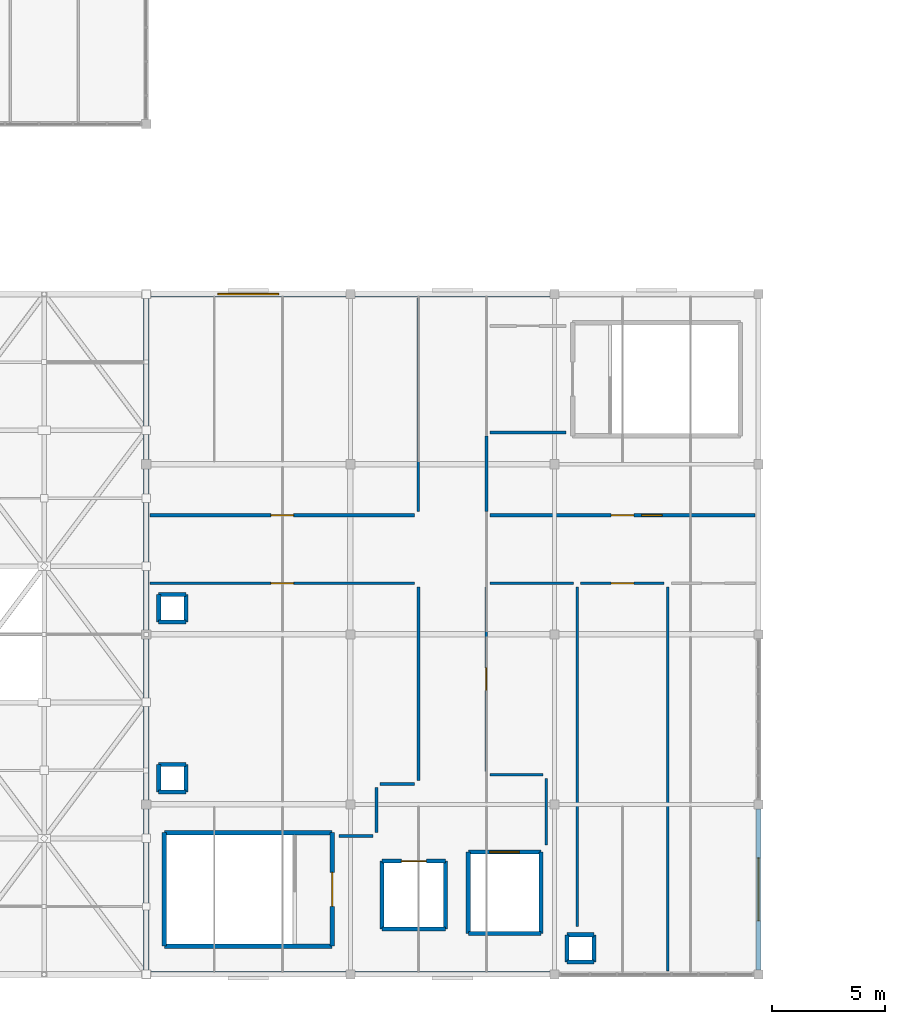
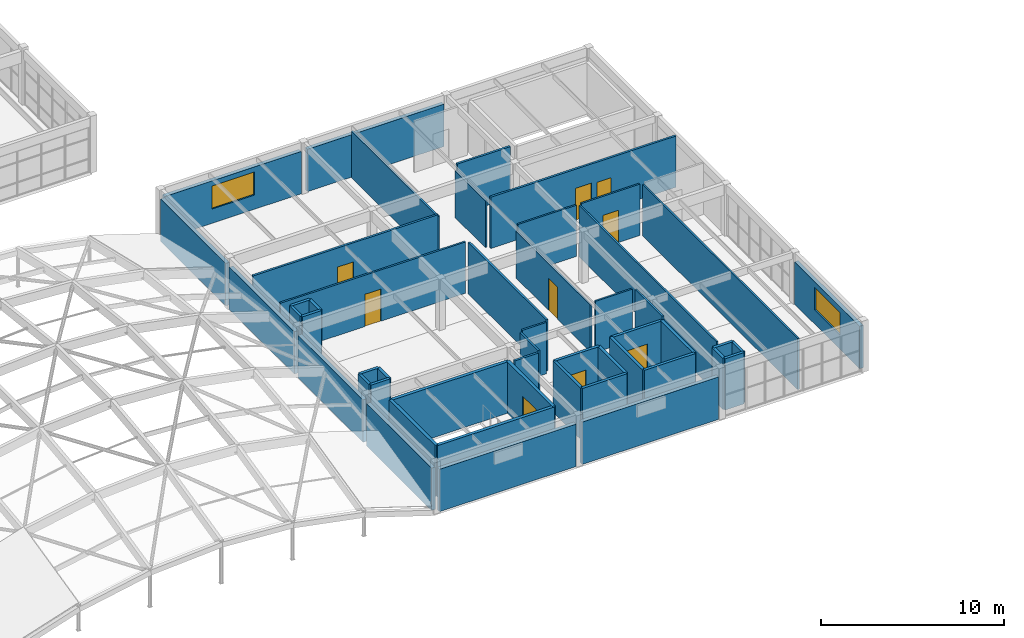
# One storey, part 73 of 81: 50 walls, 8 doors, 3 windows, 11 openings.
"""IFC4 building model written with IfcOpenShell, lengths in metres."""

import ifcopenshell
import ifcopenshell.guid

model = None  # the IFC model being written
_history = None  # IfcOwnerHistory: only IFC2X3 demands one
_inside = {}  # id of a spatial element -> (the spatial element, [elements in it])
_under = {}  # id of a project, library or spatial element -> (it, [spatial elements below it])
_declared = {}  # id of a project -> (the project, [libraries it declares])
_typed = {}  # id of a type object -> (the type object, [elements of that type])
_made_of = {}  # id of a material, layer set ... -> (it, [elements and type objects made of it])


def new_model(schema):
    """Start an empty IFC model of exactly this schema.

    Asked for "IFC4X3", IfcOpenShell would pick the latest addendum, in which some entities
    have other attributes; the version numbers below select the first issue.
    IFC2X3 requires an IfcOwnerHistory on every rooted entity: one is made here for all.
    """
    global model, _history
    if schema == "IFC4X3":
        model = ifcopenshell.file(schema_version=(4, 3, 0, 0))
    else:
        model = ifcopenshell.file(schema=schema)
    _inside.clear()
    _under.clear()
    _declared.clear()
    _typed.clear()
    _made_of.clear()
    _history = None
    if model.schema == "IFC2X3":
        org = make("IfcOrganization", Name="unknown")
        user = make(
            "IfcPersonAndOrganization",
            ThePerson=make("IfcPerson", FamilyName="unknown"),
            TheOrganization=org,
        )
        app = make(
            "IfcApplication",
            ApplicationDeveloper=org,
            Version="unknown",
            ApplicationFullName="unknown",
            ApplicationIdentifier="unknown",
        )
        _history = make(
            "IfcOwnerHistory",
            OwningUser=user,
            OwningApplication=app,
            ChangeAction="ADDED",
            CreationDate=0,
        )
    return model


def make(cls, **values):
    """One entity of the class cls with the attributes given. An attribute that is None is left unset."""
    return model.create_entity(
        cls, **{name: value for name, value in values.items() if value is not None}
    )


def rooted(cls, **values):
    """An entity with a GlobalId (a new one), such as an element, a storey or a relation."""
    return make(cls, GlobalId=ifcopenshell.guid.new(), OwnerHistory=_history, **values)


def si_unit(unit_type, name, prefix=None):
    """IfcSIUnit, for example si_unit("LENGTHUNIT", "METRE", prefix="MILLI")."""
    return make("IfcSIUnit", UnitType=unit_type, Prefix=prefix, Name=name)


def assignment(units):
    """IfcUnitAssignment: the units of a project."""
    return None if units is None else make("IfcUnitAssignment", Units=units)


def point(xyz):
    """IfcCartesianPoint."""
    return None if xyz is None else make("IfcCartesianPoint", Coordinates=xyz)


def direction(xyz):
    """IfcDirection."""
    return None if xyz is None else make("IfcDirection", DirectionRatios=xyz)


def frame(location, z_axis=None, x_axis=None):
    """IfcAxis2Placement3D, a coordinate frame: its origin and axes. An axis left out is left unset."""
    return make(
        "IfcAxis2Placement3D",
        Location=point(location),
        Axis=direction(z_axis),
        RefDirection=direction(x_axis),
    )


def frame_2d(location, x_axis=None):
    """IfcAxis2Placement2D, a coordinate frame in the plane: its origin and x axis."""
    return make(
        "IfcAxis2Placement2D", Location=point(location), RefDirection=direction(x_axis)
    )


def origin():
    """The frame at (0, 0, 0) with its axes left unset."""
    return frame((0.0, 0.0, 0.0))


def place(relative_to, where):
    """IfcLocalPlacement: puts the frame where relative to a parent placement (None: the world)."""
    return make(
        "IfcLocalPlacement", PlacementRelTo=relative_to, RelativePlacement=where
    )


def context(
    kind, dimensions, precision=None, world=None, true_north=None, identifier=None
):
    """IfcGeometricRepresentationContext, for example the 3D "Model" context."""
    return make(
        "IfcGeometricRepresentationContext",
        ContextIdentifier=identifier,
        ContextType=kind,
        CoordinateSpaceDimension=dimensions,
        Precision=precision,
        WorldCoordinateSystem=world,
        TrueNorth=true_north,
    )


def subcontext(parent, identifier, kind, view, scale=None):
    """IfcGeometricRepresentationSubContext, for example "Body" below "Model"."""
    return make(
        "IfcGeometricRepresentationSubContext",
        ContextIdentifier=identifier,
        ContextType=kind,
        ParentContext=parent,
        TargetScale=scale,
        TargetView=view,
    )


def project(units=None, contexts=None):
    """IfcProject with its units and contexts."""
    return rooted(
        "IfcProject",
        Name="project",
        RepresentationContexts=contexts,
        UnitsInContext=assignment(units),
    )


def spatial(cls, under=None, at=None, **own):
    """A site, building, storey or space (cls), placed at a placement, below another one or the project."""
    s = rooted(cls, ObjectPlacement=at, **own)
    if under is not None:
        _under.setdefault(under.id(), (under, []))[1].append(s)
    return s


def profile(cls, at=None, kind="AREA", **sizes):
    """A parametric profile (cls). Its sizes go by their IFC names, for example OverallWidth=200.0."""
    return make(cls, ProfileType=kind, Position=at, **sizes)


def rectangle(**sizes):
    """IfcRectangleProfileDef."""
    return profile("IfcRectangleProfileDef", **sizes)


def extrude(swept, where, along, depth):
    """IfcExtrudedAreaSolid: the profile swept, set in the frame where, extruded along a direction by depth."""
    return make(
        "IfcExtrudedAreaSolid",
        SweptArea=swept,
        Position=where,
        ExtrudedDirection=direction(along),
        Depth=depth,
    )


def shape(context_of_items, identifier, shape_type, items):
    """IfcShapeRepresentation: the items that make up one representation, for example the "Body"."""
    return make(
        "IfcShapeRepresentation",
        ContextOfItems=context_of_items,
        RepresentationIdentifier=identifier,
        RepresentationType=shape_type,
        Items=items,
    )


def material(Name=None, Category=None):
    """IfcMaterial."""
    return make("IfcMaterial", Name=Name, Category=Category)


def layer(
    of_material, thickness, ventilated=None, Name=None, Category=None, Priority=None
):
    """IfcMaterialLayer: one layer of a wall or slab, of a material (None: an air gap)."""
    return make(
        "IfcMaterialLayer",
        Material=of_material,
        LayerThickness=thickness,
        IsVentilated=ventilated,
        Name=Name,
        Category=Category,
        Priority=Priority,
    )


def layer_set(layers, Name=None):
    """IfcMaterialLayerSet."""
    return make("IfcMaterialLayerSet", MaterialLayers=layers, LayerSetName=Name)


def made_of(thing, what):
    """Note that an element or type object is made of a material, layer set ...; save() writes the relation."""
    if what is not None:
        _made_of.setdefault(what.id(), (what, []))[1].append(thing)
    return thing


def type_object(cls, material=None, **own):
    """A type object (cls), such as IfcWallType, which elements share."""
    return made_of(rooted(cls, **own), material)


def element(
    cls,
    number,
    at=None,
    inside=None,
    cuts=None,
    type_object=None,
    material=None,
    context=None,
    identifier="Body",
    shape_type=None,
    held_by="IfcProductDefinitionShape",
    body=None,
    shapes=None,
    **own,
):
    """One element of the class cls, such as IfcWall. Its Tag is "e" and its number.

    at: its placement. inside: the storey or other place that contains it. cuts: it is an
    opening in that element (IfcRelVoidsElement). A single representation is given by context,
    identifier, shape_type and body (its items); several are given by shapes. held_by: the class
    of the entity that holds the representations. save() writes the other relations.
    """
    e = rooted(cls, Tag="e%d" % number, ObjectPlacement=at, **own)
    if body is not None:
        shapes = [shape(context, identifier, shape_type, body)]
    if shapes is not None:
        e.Representation = make(held_by, Representations=shapes)
    if inside is not None:
        _inside.setdefault(inside.id(), (inside, []))[1].append(e)
    if cuts is not None:
        rooted(
            "IfcRelVoidsElement", RelatingBuildingElement=cuts, RelatedOpeningElement=e
        )
    if type_object is not None:
        _typed.setdefault(type_object.id(), (type_object, []))[1].append(e)
    return made_of(e, material)


def fill(opening, filler):
    """IfcRelFillsElement: the door or window that sits in an opening."""
    return rooted(
        "IfcRelFillsElement",
        RelatingOpeningElement=opening,
        RelatedBuildingElement=filler,
    )


def aggregate(whole, parts):
    """IfcRelAggregates: a whole, such as a stair, and the parts it consists of."""
    return rooted("IfcRelAggregates", RelatingObject=whole, RelatedObjects=parts)


def save(model, path):
    """Write the relations noted so far, then the file.

    IfcRelAggregates (storeys below a building ...), IfcRelContainedInSpatialStructure (elements
    in a storey), IfcRelDefinesByType, IfcRelAssociatesMaterial and IfcRelDeclares: one each for
    every whole, place, type object, material and project.
    """
    for whole, parts in _under.values():
        aggregate(whole, parts)
    for where, things in _inside.values():
        rooted(
            "IfcRelContainedInSpatialStructure",
            RelatedElements=things,
            RelatingStructure=where,
        )
    for kind, things in _typed.values():
        rooted("IfcRelDefinesByType", RelatedObjects=things, RelatingType=kind)
    for what, things in _made_of.values():
        rooted("IfcRelAssociatesMaterial", RelatedObjects=things, RelatingMaterial=what)
    for by, libraries in _declared.values():
        rooted("IfcRelDeclares", RelatingContext=by, RelatedDefinitions=libraries)
    model.write(path)


model = new_model("IFC4")

# Units and contexts
model_context = context("Model", 3, precision=1e-05, world=origin(), true_north=direction((0.0, 1.0)))
body_context = subcontext(model_context, "Body", "Model", "MODEL_VIEW")
ifc_project = project(units=[si_unit("LENGTHUNIT", "METRE"), si_unit("AREAUNIT", "SQUARE_METRE"), si_unit("VOLUMEUNIT", "CUBIC_METRE"), si_unit("PLANEANGLEUNIT", "RADIAN"), si_unit("MASSUNIT", "GRAM", prefix="KILO")], contexts=[model_context])

# Site, building, storey
site_placement = place(None, origin())
site = spatial("IfcSite", under=ifc_project, at=site_placement, CompositionType="ELEMENT")
building_placement = place(site_placement, origin())
building = spatial("IfcBuilding", under=site, at=building_placement, Name="Marnridge Secondary College", CompositionType="ELEMENT")
storey_placement = place(building_placement, frame((0.0, 0.0, 8.5)))
storey = spatial("IfcBuildingStorey", under=building, at=storey_placement, Name="L02", CompositionType="ELEMENT", Elevation=8.5)

# Wall
ifc_material_1 = material(Name="Concrete C40/50 (AS 3600 N40, 40 MPa)", Category="concrete")
ifc_layer_1 = layer(ifc_material_1, 0.199951171875)
ifc_layer_set_1 = layer_set([ifc_layer_1], Name="WT-CORE-RC200")
wall_type_1 = type_object("IfcWallType", Name="WT-CORE-RC200", PredefinedType="SHEAR", material=ifc_layer_set_1)
wall_1_placement = place(storey_placement, frame((90.800048828125, 1.25, 0.0), z_axis=(0.0, 0.0, 1.0), x_axis=(1.0, 0.0, 0.0)))
element("IfcWall", 1, at=wall_1_placement, inside=storey, type_object=wall_type_1, Name="Stair core shear wall WC-L02-0377", PredefinedType="SHEAR", context=body_context, shape_type="SweptSolid", body=[
    extrude(rectangle(XDim=7.39990234375, YDim=0.199951171875, at=frame_2d((3.699951171875, 0.0))), origin(), (0.0, 0.0, 1.0), 3.419921875),
])

# Wall, opening, door
wall_2_placement = place(storey_placement, frame((98.199951171875, 1.25, 0.0), z_axis=(0.0, 0.0, 1.0), x_axis=(0.0, 1.0, 0.0)))
wall_2 = element("IfcWall", 2, at=wall_2_placement, inside=storey, type_object=wall_type_1, Name="Stair core shear wall WC-L02-0378", PredefinedType="SHEAR", context=body_context, shape_type="SweptSolid", body=[
    extrude(rectangle(XDim=5.0, YDim=0.199951171875, at=frame_2d((2.5, 0.0))), origin(), (0.0, 0.0, 1.0), 3.419921875),
])
opening_1_placement = place(wall_2_placement, frame((1.75, 0.0, 0.0)))
opening_1 = element("IfcOpeningElement", 3, at=opening_1_placement, cuts=wall_2, Name="Opening DC-L02-033", PredefinedType="OPENING", context=body_context, shape_type="SweptSolid", body=[
    extrude(rectangle(XDim=1.5, YDim=2.14990234375, at=frame_2d((0.75, 1.074951171875))), frame((0.0, 0.10986328125, 0.0), z_axis=(0.0, -1.0, 0.0), x_axis=(1.0, 0.0, 0.0)), (0.0, 0.0, 1.0), 0.219970703125),
])
ifc_material_2 = material(Name="Fire-rated solid-core timber doorset", Category="wood")
door_type_1 = type_object("IfcDoorType", Name="DT-CORE-FD150", OperationType="DOUBLE_DOOR_SINGLE_SWING", PredefinedType="DOOR", material=ifc_material_2)
door_1_placement = place(opening_1_placement, origin())
door_1 = element("IfcDoor", 4, at=door_1_placement, inside=storey, type_object=door_type_1, Name="Fire stair door DC-L02-033", OperationType="DOUBLE_DOOR_SINGLE_SWING", OverallHeight=2.14990234375, OverallWidth=1.5, PredefinedType="DOOR", context=body_context, shape_type="SweptSolid", body=[
    extrude(rectangle(XDim=1.5, YDim=2.14990234375, at=frame_2d((0.75, 1.074951171875))), frame((0.0, 0.02490234375, 0.0), z_axis=(0.0, -1.0, 0.0), x_axis=(1.0, 0.0, 0.0)), (0.0, 0.0, 1.0), 0.050048828125),
])
fill(opening_1, door_1)

# Walls
wall_3_placement = place(storey_placement, frame((98.199951171875, 6.25, 0.0), z_axis=(0.0, 0.0, 1.0), x_axis=(-1.0, 0.0, 0.0)))
element("IfcWall", 5, at=wall_3_placement, inside=storey, type_object=wall_type_1, Name="Stair core shear wall WC-L02-0379", PredefinedType="SHEAR", context=body_context, shape_type="SweptSolid", body=[
    extrude(rectangle(XDim=7.39990234375, YDim=0.199951171875, at=frame_2d((3.699951171875, 0.0))), origin(), (0.0, 0.0, 1.0), 3.419921875),
])
wall_4_placement = place(storey_placement, frame((90.800048828125, 6.25, 0.0), z_axis=(0.0, 0.0, 1.0), x_axis=(0.0, -1.0, 0.0)))
element("IfcWall", 6, at=wall_4_placement, inside=storey, type_object=wall_type_1, Name="Stair core shear wall WC-L02-0380", PredefinedType="SHEAR", context=body_context, shape_type="SweptSolid", body=[
    extrude(rectangle(XDim=5.0, YDim=0.199951171875, at=frame_2d((2.5, 0.0))), origin(), (0.0, 0.0, 1.0), 3.419921875),
])

# Wall, opening, window
ifc_material_3 = material(Name="Cross-laminated timber CL5", Category="wood")
ifc_layer_2 = layer(ifc_material_3, 0.239990234375)
ifc_layer_set_2 = layer_set([ifc_layer_2], Name="WT-EXT-CLT240")
wall_type_2 = type_object("IfcWallType", Name="WT-EXT-CLT240", PredefinedType="SOLIDWALL", material=ifc_layer_set_2)
wall_5_placement = place(storey_placement, frame((90.196044921875, 30.0, 0.0), z_axis=(0.0, 0.0, 1.0), x_axis=(1.0, 0.0, 0.0)))
wall_5 = element("IfcWall", 7, at=wall_5_placement, inside=storey, type_object=wall_type_2, Name="Exterior wall WE-L02-0139", PredefinedType="SOLIDWALL", context=body_context, shape_type="SweptSolid", body=[
    extrude(rectangle(XDim=8.60791015625, YDim=0.239990234375, at=frame_2d((4.303955078125, 0.0))), origin(), (0.0, 0.0, 1.0), 2.826904296875),
])
opening_2_placement = place(wall_5_placement, frame((2.964111328125, 0.0, 0.949951171875)))
opening_2 = element("IfcOpeningElement", 8, at=opening_2_placement, cuts=wall_5, Name="Opening WN-L02-0038", PredefinedType="OPENING", context=body_context, shape_type="SweptSolid", body=[
    extrude(rectangle(XDim=2.679931640625, YDim=1.5400390625, at=frame_2d((1.33984375, 0.77001953125))), frame((0.0, 0.1298828125, 0.0), z_axis=(0.0, -1.0, 0.0), x_axis=(1.0, 0.0, 0.0)), (0.0, 0.0, 1.0), 0.260009765625),
])
ifc_material_4 = material(Name="Solar-control low-E double glazing", Category="glass")
window_type_1 = type_object("IfcWindowType", Name="WN-EXT-V16", PartitioningType="DOUBLE_PANEL_VERTICAL", PredefinedType="WINDOW", material=ifc_material_4)
window_1_placement = place(opening_2_placement, origin())
window_1 = element("IfcWindow", 9, at=window_1_placement, inside=storey, type_object=window_type_1, Name="Facade window WN-L02-0038", OverallHeight=1.5400390625, OverallWidth=2.679931640625, PartitioningType="DOUBLE_PANEL_VERTICAL", PredefinedType="WINDOW", context=body_context, shape_type="SweptSolid", body=[
    extrude(rectangle(XDim=2.679931640625, YDim=1.5400390625, at=frame_2d((1.33984375, 0.77001953125))), frame((0.0, 0.030029296875, 0.0), z_axis=(0.0, -1.0, 0.0), x_axis=(1.0, 0.0, 0.0)), (0.0, 0.0, 1.0), 0.06005859375),
])
fill(opening_2, window_1)

# Wall
wall_6_placement = place(storey_placement, frame((99.196044921875, 30.0, 0.0), z_axis=(0.0, 0.0, 1.0), x_axis=(1.0, 0.0, 0.0)))
element("IfcWall", 10, at=wall_6_placement, inside=storey, type_object=wall_type_2, Name="Exterior wall WE-L02-0140", PredefinedType="SOLIDWALL", context=body_context, shape_type="SweptSolid", body=[
    extrude(rectangle(XDim=8.60791015625, YDim=0.239990234375, at=frame_2d((4.303955078125, 0.0))), origin(), (0.0, 0.0, 1.0), 2.826904296875),
])

# Wall, opening, window
wall_7_placement = place(storey_placement, frame((117.0, 7.303955078125, 0.0), z_axis=(0.0, 0.0, 1.0), x_axis=(0.0, -1.0, 0.0)))
wall_7 = element("IfcWall", 11, at=wall_7_placement, inside=storey, type_object=wall_type_2, Name="Exterior wall WE-L02-0144", PredefinedType="SOLIDWALL", context=body_context, shape_type="SweptSolid", body=[
    extrude(rectangle(XDim=7.10791015625, YDim=0.239990234375, at=frame_2d((3.553955078125, 0.0))), origin(), (0.0, 0.0, 1.0), 2.826904296875),
])
opening_3_placement = place(wall_7_placement, frame((2.1640625, 0.0, 0.949951171875)))
opening_3 = element("IfcOpeningElement", 12, at=opening_3_placement, cuts=wall_7, Name="Opening WN-L02-0039", PredefinedType="OPENING", context=body_context, shape_type="SweptSolid", body=[
    extrude(rectangle(XDim=2.780029296875, YDim=1.5, at=frame_2d((1.39013671875, 0.75))), frame((0.0, 0.1298828125, 0.0), z_axis=(0.0, -1.0, 0.0), x_axis=(1.0, 0.0, 0.0)), (0.0, 0.0, 1.0), 0.260009765625),
])
ifc_material_5 = material(Name="Solar-control low-E double glazing", Category="glass")
window_type_2 = type_object("IfcWindowType", Name="WN-EXT-V17", PartitioningType="DOUBLE_PANEL_VERTICAL", PredefinedType="WINDOW", material=ifc_material_5)
window_2_placement = place(opening_3_placement, origin())
window_2 = element("IfcWindow", 13, at=window_2_placement, inside=storey, type_object=window_type_2, Name="Facade window WN-L02-0039", OverallHeight=1.5, OverallWidth=2.780029296875, PartitioningType="DOUBLE_PANEL_VERTICAL", PredefinedType="WINDOW", context=body_context, shape_type="SweptSolid", body=[
    extrude(rectangle(XDim=2.780029296875, YDim=1.5, at=frame_2d((1.39013671875, 0.75))), frame((0.0, 0.030029296875, 0.0), z_axis=(0.0, -1.0, 0.0), x_axis=(1.0, 0.0, 0.0)), (0.0, 0.0, 1.0), 0.06005859375),
])
fill(opening_3, window_2)

# Walls
for number, where, z_axis, x_axis, name in (
    (14, (107.803955078125, 0.0, 0.0), (0.0, 0.0, 1.0), (-1.0, 0.0, 0.0), "Exterior wall WE-L02-0145"),
    (15, (98.803955078125, 0.0, 0.0), (0.0, 0.0, 1.0), (-1.0, 0.0, 0.0), "Exterior wall WE-L02-0146"),
):
    element("IfcWall", number, at=place(storey_placement, frame(where, z_axis=z_axis, x_axis=x_axis)), inside=storey, type_object=wall_type_2, Name=name, PredefinedType="SOLIDWALL", context=body_context, shape_type="SweptSolid", body=[
        extrude(rectangle(XDim=8.60791015625, YDim=0.239990234375, at=frame_2d((4.303955078125, 0.0))), origin(), (0.0, 0.0, 1.0), 2.826904296875),
    ])
for number, where, z_axis, x_axis, name in (
    (16, (90.0, 0.196044921875, 0.0), (0.0, 0.0, 1.0), (0.0, 1.0, 0.0), "Exterior wall WE-L02-0147"),
    (17, (90.0, 7.696044921875, 0.0), (0.0, 0.0, 1.0), (0.0, 1.0, 0.0), "Exterior wall WE-L02-0148"),
    (18, (90.0, 15.196044921875, 0.0), (0.0, 0.0, 1.0), (0.0, 1.0, 0.0), "Exterior wall WE-L02-0149"),
    (19, (90.0, 22.696044921875, 0.0), (0.0, 0.0, 1.0), (0.0, 1.0, 0.0), "Exterior wall WE-L02-0150"),
):
    element("IfcWall", number, at=place(storey_placement, frame(where, z_axis=z_axis, x_axis=x_axis)), inside=storey, type_object=wall_type_2, Name=name, PredefinedType="SOLIDWALL", context=body_context, shape_type="SweptSolid", body=[
        extrude(rectangle(XDim=7.10791015625, YDim=0.239990234375, at=frame_2d((3.553955078125, 0.0))), origin(), (0.0, 0.0, 1.0), 2.826904296875),
    ])
ifc_material_6 = material(Name="Acoustic plasterboard partition Rw45", Category="gypsum")
ifc_layer_3 = layer(ifc_material_6, 0.1201171875)
ifc_layer_set_3 = layer_set([ifc_layer_3], Name="WT-PART-AC120")
wall_type_3 = type_object("IfcWallType", Name="WT-PART-AC120", PredefinedType="PARTITIONING", material=ifc_layer_set_3)
wall_8_placement = place(storey_placement, frame((100.31005859375, 8.39990234375, 0.0), z_axis=(0.0, 0.0, 1.0), x_axis=(1.0, 0.0, 0.0)))
element("IfcWall", 20, at=wall_8_placement, inside=storey, type_object=wall_type_3, Name="Interior partition WP-L02-0261", PredefinedType="PARTITIONING", context=body_context, shape_type="SweptSolid", body=[
    extrude(rectangle(XDim=1.530029296875, YDim=0.1201171875, at=frame_2d((0.76513671875, 0.0))), origin(), (0.0, 0.0, 1.0), 3.419921875),
])

# Wall, opening, door
wall_9_placement = place(storey_placement, frame((101.840087890625, 17.25, 0.0), z_axis=(0.0, 0.0, 1.0), x_axis=(-1.0, 0.0, 0.0)))
wall_9 = element("IfcWall", 21, at=wall_9_placement, inside=storey, type_object=wall_type_3, Name="Interior partition WP-L02-0263", PredefinedType="PARTITIONING", context=body_context, shape_type="SweptSolid", body=[
    extrude(rectangle(XDim=11.68017578125, YDim=0.1201171875, at=frame_2d((5.840087890625, 0.0))), origin(), (0.0, 0.0, 1.0), 3.419921875),
])
opening_4_placement = place(wall_9_placement, frame((5.340087890625, 0.0, 0.0)))
opening_4 = element("IfcOpeningElement", 22, at=opening_4_placement, cuts=wall_9, Name="Opening DI-L02-0093", PredefinedType="OPENING", context=body_context, shape_type="SweptSolid", body=[
    extrude(rectangle(XDim=1.0, YDim=2.14990234375, at=frame_2d((0.5, 1.074951171875))), frame((0.0, 0.070068359375, 0.0), z_axis=(0.0, -1.0, 0.0), x_axis=(1.0, 0.0, 0.0)), (0.0, 0.0, 1.0), 0.14013671875),
])
ifc_material_7 = material(Name="Solid-core acoustic hoop-pine classroom doorset", Category="wood")
door_type_2 = type_object("IfcDoorType", Name="DT-CLS-100", OperationType="NOTDEFINED", PredefinedType="DOOR", material=ifc_material_7)
door_2_placement = place(opening_4_placement, origin())
door_2 = element("IfcDoor", 23, at=door_2_placement, inside=storey, type_object=door_type_2, Name="Interior door DI-L02-0093", OperationType="SINGLE_SWING_LEFT", OverallHeight=2.14990234375, OverallWidth=1.0, PredefinedType="DOOR", context=body_context, shape_type="SweptSolid", body=[
    extrude(rectangle(XDim=1.0, YDim=2.14990234375, at=frame_2d((0.5, 1.074951171875))), frame((0.0, 0.02490234375, 0.0), z_axis=(0.0, -1.0, 0.0), x_axis=(1.0, 0.0, 0.0)), (0.0, 0.0, 1.0), 0.050048828125),
])
fill(opening_4, door_2)

# Walls
wall_10_placement = place(storey_placement, frame((100.14990234375, 6.260009765625, 0.0), z_axis=(0.0, 0.0, 1.0), x_axis=(0.0, 1.0, 0.0)))
element("IfcWall", 24, at=wall_10_placement, inside=storey, type_object=wall_type_3, Name="Interior partition WP-L02-0265", PredefinedType="PARTITIONING", context=body_context, shape_type="SweptSolid", body=[
    extrude(rectangle(XDim=1.97998046875, YDim=0.1201171875, at=frame_2d((0.989990234375, 0.0))), origin(), (0.0, 0.0, 1.0), 3.419921875),
])
wall_11_placement = place(storey_placement, frame((102.0, 20.409912109375, 0.0), z_axis=(0.0, 0.0, 1.0), x_axis=(0.0, 1.0, 0.0)))
element("IfcWall", 25, at=wall_11_placement, inside=storey, type_object=wall_type_3, Name="Interior partition WP-L02-0267", PredefinedType="PARTITIONING", context=body_context, shape_type="SweptSolid", body=[
    extrude(rectangle(XDim=9.43017578125, YDim=0.1201171875, at=frame_2d((4.715087890625, 0.0))), origin(), (0.0, 0.0, 1.0), 3.112060546875),
])
wall_12_placement = place(storey_placement, frame((105.0, 23.739990234375, 0.0), z_axis=(0.0, 0.0, 1.0), x_axis=(0.0, -1.0, 0.0)))
element("IfcWall", 26, at=wall_12_placement, inside=storey, type_object=wall_type_3, Name="Interior partition WP-L02-0269", PredefinedType="PARTITIONING", context=body_context, shape_type="SweptSolid", body=[
    extrude(rectangle(XDim=3.330078125, YDim=0.1201171875, at=frame_2d((1.6650390625, 0.0))), origin(), (0.0, 0.0, 1.0), 3.112060546875),
])
ifc_material_8 = material(Name="Acoustic plasterboard partition Rw48", Category="gypsum")
ifc_layer_4 = layer(ifc_material_8, 0.135009765625)
ifc_layer_set_4 = layer_set([ifc_layer_4], Name="WT-PART-AC135")
wall_type_4 = type_object("IfcWallType", Name="WT-PART-AC135", PredefinedType="PARTITIONING", material=ifc_layer_set_4)
wall_13_placement = place(storey_placement, frame((102.0, 8.56005859375, 0.0), z_axis=(0.0, 0.0, 1.0), x_axis=(0.0, 1.0, 0.0)))
element("IfcWall", 27, at=wall_13_placement, inside=storey, type_object=wall_type_4, Name="Interior partition WP-L02-0262", PredefinedType="PARTITIONING", context=body_context, shape_type="SweptSolid", body=[
    extrude(rectangle(XDim=8.530029296875, YDim=0.135009765625, at=frame_2d((4.26513671875, 0.0))), origin(), (0.0, 0.0, 1.0), 3.419921875),
])
wall_14_placement = place(storey_placement, frame((98.5, 6.10009765625, 0.0), z_axis=(0.0, 0.0, 1.0), x_axis=(1.0, 0.0, 0.0)))
element("IfcWall", 28, at=wall_14_placement, inside=storey, type_object=wall_type_4, Name="Interior partition WP-L02-0264", PredefinedType="PARTITIONING", context=body_context, shape_type="SweptSolid", body=[
    extrude(rectangle(XDim=1.489990234375, YDim=0.135009765625, at=frame_2d((0.7451171875, 0.0))), origin(), (0.0, 0.0, 1.0), 3.419921875),
])

# Wall, opening, door
wall_15_placement = place(storey_placement, frame((90.159912109375, 20.25, 0.0), z_axis=(0.0, 0.0, 1.0), x_axis=(1.0, 0.0, 0.0)))
wall_15 = element("IfcWall", 29, at=wall_15_placement, inside=storey, type_object=wall_type_4, Name="Interior partition WP-L02-0266", PredefinedType="PARTITIONING", context=body_context, shape_type="SweptSolid", body=[
    extrude(rectangle(XDim=11.68017578125, YDim=0.135009765625, at=frame_2d((5.840087890625, 0.0))), origin(), (0.0, 0.0, 1.0), 3.419921875),
])
opening_5_placement = place(wall_15_placement, frame((5.340087890625, 0.0, 0.0)))
opening_5 = element("IfcOpeningElement", 30, at=opening_5_placement, cuts=wall_15, Name="Opening DI-L02-0094", PredefinedType="OPENING", context=body_context, shape_type="SweptSolid", body=[
    extrude(rectangle(XDim=1.0, YDim=2.14990234375, at=frame_2d((0.5, 1.074951171875))), frame((0.0, 0.077392578125, 0.0), z_axis=(0.0, -1.0, 0.0), x_axis=(1.0, 0.0, 0.0)), (0.0, 0.0, 1.0), 0.155029296875),
])
door_3_placement = place(opening_5_placement, origin())
door_3 = element("IfcDoor", 31, at=door_3_placement, inside=storey, type_object=door_type_2, Name="Interior door DI-L02-0094", OperationType="SINGLE_SWING_RIGHT", OverallHeight=2.14990234375, OverallWidth=1.0, PredefinedType="DOOR", context=body_context, shape_type="SweptSolid", body=[
    extrude(rectangle(XDim=1.0, YDim=2.14990234375, at=frame_2d((0.5, 1.074951171875))), frame((0.0, 0.02490234375, 0.0), z_axis=(0.0, -1.0, 0.0), x_axis=(1.0, 0.0, 0.0)), (0.0, 0.0, 1.0), 0.050048828125),
])
fill(opening_5, door_3)

# Wall
wall_16_placement = place(storey_placement, frame((108.5, 23.89990234375, 0.0), z_axis=(0.0, 0.0, 1.0), x_axis=(-1.0, 0.0, 0.0)))
element("IfcWall", 32, at=wall_16_placement, inside=storey, type_object=wall_type_4, Name="Interior partition WP-L02-0268", PredefinedType="PARTITIONING", context=body_context, shape_type="SweptSolid", body=[
    extrude(rectangle(XDim=3.340087890625, YDim=0.135009765625, at=frame_2d((1.669921875, 0.0))), origin(), (0.0, 0.0, 1.0), 3.419921875),
])

# Wall, openings, door, window
wall_17_placement = place(storey_placement, frame((105.159912109375, 20.25, 0.0), z_axis=(0.0, 0.0, 1.0), x_axis=(1.0, 0.0, 0.0)))
wall_17 = element("IfcWall", 33, at=wall_17_placement, inside=storey, type_object=wall_type_4, Name="Interior partition WP-L02-0270", PredefinedType="PARTITIONING", context=body_context, shape_type="SweptSolid", body=[
    extrude(rectangle(XDim=11.68017578125, YDim=0.135009765625, at=frame_2d((5.840087890625, 0.0))), origin(), (0.0, 0.0, 1.0), 3.419921875),
])
opening_6_placement = place(wall_17_placement, frame((5.340087890625, 0.0, 0.0)))
opening_6 = element("IfcOpeningElement", 34, at=opening_6_placement, cuts=wall_17, Name="Opening DI-L02-0095", PredefinedType="OPENING", context=body_context, shape_type="SweptSolid", body=[
    extrude(rectangle(XDim=1.0, YDim=2.14990234375, at=frame_2d((0.5, 1.074951171875))), frame((0.0, 0.077392578125, 0.0), z_axis=(0.0, -1.0, 0.0), x_axis=(1.0, 0.0, 0.0)), (0.0, 0.0, 1.0), 0.155029296875),
])
opening_7_placement = place(wall_17_placement, frame((6.68994140625, 0.0, 1.02001953125)))
opening_7 = element("IfcOpeningElement", 35, at=opening_7_placement, cuts=wall_17, Name="Opening WNI-L02-019", PredefinedType="OPENING", context=body_context, shape_type="SweptSolid", body=[
    extrude(rectangle(XDim=0.89990234375, YDim=1.050048828125, at=frame_2d((0.449951171875, 0.52490234375))), frame((0.0, 0.077392578125, 0.0), z_axis=(0.0, -1.0, 0.0), x_axis=(1.0, 0.0, 0.0)), (0.0, 0.0, 1.0), 0.155029296875),
])
door_4_placement = place(opening_6_placement, origin())
door_4 = element("IfcDoor", 36, at=door_4_placement, inside=storey, type_object=door_type_2, Name="Interior door DI-L02-0095", OperationType="SINGLE_SWING_LEFT", OverallHeight=2.14990234375, OverallWidth=1.0, PredefinedType="DOOR", context=body_context, shape_type="SweptSolid", body=[
    extrude(rectangle(XDim=1.0, YDim=2.14990234375, at=frame_2d((0.5, 1.074951171875))), frame((0.0, 0.02490234375, 0.0), z_axis=(0.0, -1.0, 0.0), x_axis=(1.0, 0.0, 0.0)), (0.0, 0.0, 1.0), 0.050048828125),
])
fill(opening_6, door_4)
ifc_material_9 = material(Name="Acoustic laminated interior vision glazing", Category="glass")
window_type_3 = type_object("IfcWindowType", Name="WN-BL-VAR01", PartitioningType="DOUBLE_PANEL_VERTICAL", PredefinedType="WINDOW", material=ifc_material_9)
window_3_placement = place(opening_7_placement, origin())
window_3 = element("IfcWindow", 37, at=window_3_placement, inside=storey, type_object=window_type_3, Name="Interior vision window WNI-L02-019", OverallHeight=1.050048828125, OverallWidth=0.89990234375, PartitioningType="DOUBLE_PANEL_VERTICAL", PredefinedType="WINDOW", context=body_context, shape_type="SweptSolid", body=[
    extrude(rectangle(XDim=0.89990234375, YDim=1.050048828125, at=frame_2d((0.449951171875, 0.52490234375))), frame((0.0, 0.030029296875, 0.0), z_axis=(0.0, -1.0, 0.0), x_axis=(1.0, 0.0, 0.0)), (0.0, 0.0, 1.0), 0.06005859375),
])
fill(opening_7, window_3)

# Walls
ifc_material_10 = material(Name="Moisture-resistant plasterboard sanitary partition", Category="gypsum")
ifc_layer_5 = layer(ifc_material_10, 0.110107421875)
ifc_layer_set_5 = layer_set([ifc_layer_5], Name="WT-PART-WT110")
wall_type_5 = type_object("IfcWallType", Name="WT-PART-WT110", PredefinedType="PARTITIONING", material=ifc_layer_set_5)
wall_18_placement = place(storey_placement, frame((109.0, 2.110107421875, 0.0), z_axis=(0.0, 0.0, 1.0), x_axis=(0.0, 1.0, 0.0)))
element("IfcWall", 38, at=wall_18_placement, inside=storey, type_object=wall_type_5, Name="Interior partition WP-L02-0253", PredefinedType="PARTITIONING", context=body_context, shape_type="SweptSolid", body=[
    extrude(rectangle(XDim=14.97998046875, YDim=0.110107421875, at=frame_2d((7.489990234375, 0.0))), origin(), (0.0, 0.0, 1.0), 3.419921875),
])
wall_19_placement = place(storey_placement, frame((107.64990234375, 8.639892578125, 0.0), z_axis=(0.0, 0.0, 1.0), x_axis=(0.0, -1.0, 0.0)))
element("IfcWall", 39, at=wall_19_placement, inside=storey, type_object=wall_type_5, Name="Interior partition WP-L02-0254", PredefinedType="PARTITIONING", context=body_context, shape_type="SweptSolid", body=[
    extrude(rectangle(XDim=2.93994140625, YDim=0.110107421875, at=frame_2d((1.469970703125, 0.0))), origin(), (0.0, 0.0, 1.0), 3.419921875),
])
wall_20_placement = place(storey_placement, frame((105.159912109375, 8.800048828125, 0.0), z_axis=(0.0, 0.0, 1.0), x_axis=(1.0, 0.0, 0.0)))
element("IfcWall", 40, at=wall_20_placement, inside=storey, type_object=wall_type_5, Name="Interior partition WP-L02-0255", PredefinedType="PARTITIONING", context=body_context, shape_type="SweptSolid", body=[
    extrude(rectangle(XDim=2.330078125, YDim=0.110107421875, at=frame_2d((1.1650390625, 0.0))), origin(), (0.0, 0.0, 1.0), 3.419921875),
])

# Wall, opening, door
wall_21_placement = place(storey_placement, frame((105.0, 17.090087890625, 0.0), z_axis=(0.0, 0.0, 1.0), x_axis=(0.0, -1.0, 0.0)))
wall_21 = element("IfcWall", 41, at=wall_21_placement, inside=storey, type_object=wall_type_5, Name="Interior partition WP-L02-0256", PredefinedType="PARTITIONING", context=body_context, shape_type="SweptSolid", body=[
    extrude(rectangle(XDim=8.130126953125, YDim=0.110107421875, at=frame_2d((4.06494140625, 0.0))), origin(), (0.0, 0.0, 1.0), 3.112060546875),
])
opening_8_placement = place(wall_21_placement, frame((3.56494140625, 0.0, 0.0)))
opening_8 = element("IfcOpeningElement", 42, at=opening_8_placement, cuts=wall_21, Name="Opening DI-L02-0090", PredefinedType="OPENING", context=body_context, shape_type="SweptSolid", body=[
    extrude(rectangle(XDim=1.0, YDim=2.14990234375, at=frame_2d((0.5, 1.074951171875))), frame((0.0, 0.06494140625, 0.0), z_axis=(0.0, -1.0, 0.0), x_axis=(1.0, 0.0, 0.0)), (0.0, 0.0, 1.0), 0.130126953125),
])
door_5_placement = place(opening_8_placement, origin())
door_5 = element("IfcDoor", 43, at=door_5_placement, inside=storey, type_object=door_type_2, Name="Interior door DI-L02-0090", OperationType="SINGLE_SWING_RIGHT", OverallHeight=2.14990234375, OverallWidth=1.0, PredefinedType="DOOR", context=body_context, shape_type="SweptSolid", body=[
    extrude(rectangle(XDim=1.0, YDim=2.14990234375, at=frame_2d((0.5, 1.074951171875))), frame((0.0, 0.02490234375, 0.0), z_axis=(0.0, -1.0, 0.0), x_axis=(1.0, 0.0, 0.0)), (0.0, 0.0, 1.0), 0.050048828125),
])
fill(opening_8, door_5)

# Walls
wall_22_placement = place(storey_placement, frame((108.840087890625, 17.25, 0.0), z_axis=(0.0, 0.0, 1.0), x_axis=(-1.0, 0.0, 0.0)))
element("IfcWall", 44, at=wall_22_placement, inside=storey, type_object=wall_type_5, Name="Interior partition WP-L02-0257", PredefinedType="PARTITIONING", context=body_context, shape_type="SweptSolid", body=[
    extrude(rectangle(XDim=3.68017578125, YDim=0.110107421875, at=frame_2d((1.840087890625, 0.0))), origin(), (0.0, 0.0, 1.0), 3.419921875),
])
wall_23_placement = place(storey_placement, frame((113.0, 0.159912109375, 0.0), z_axis=(0.0, 0.0, 1.0), x_axis=(0.0, 1.0, 0.0)))
element("IfcWall", 45, at=wall_23_placement, inside=storey, type_object=wall_type_5, Name="Interior partition WP-L02-0258", PredefinedType="PARTITIONING", context=body_context, shape_type="SweptSolid", body=[
    extrude(rectangle(XDim=16.93017578125, YDim=0.110107421875, at=frame_2d((8.465087890625, 0.0))), origin(), (0.0, 0.0, 1.0), 3.419921875),
])

# Wall, opening, door
wall_24_placement = place(storey_placement, frame((112.840087890625, 17.25, 0.0), z_axis=(0.0, 0.0, 1.0), x_axis=(-1.0, 0.0, 0.0)))
wall_24 = element("IfcWall", 46, at=wall_24_placement, inside=storey, type_object=wall_type_5, Name="Interior partition WP-L02-0259", PredefinedType="PARTITIONING", context=body_context, shape_type="SweptSolid", body=[
    extrude(rectangle(XDim=3.68017578125, YDim=0.110107421875, at=frame_2d((1.840087890625, 0.0))), origin(), (0.0, 0.0, 1.0), 3.419921875),
])
opening_9_placement = place(wall_24_placement, frame((1.340087890625, 0.0, 0.0)))
opening_9 = element("IfcOpeningElement", 47, at=opening_9_placement, cuts=wall_24, Name="Opening DI-L02-0091", PredefinedType="OPENING", context=body_context, shape_type="SweptSolid", body=[
    extrude(rectangle(XDim=1.0, YDim=2.14990234375, at=frame_2d((0.5, 1.074951171875))), frame((0.0, 0.06494140625, 0.0), z_axis=(0.0, -1.0, 0.0), x_axis=(1.0, 0.0, 0.0)), (0.0, 0.0, 1.0), 0.130126953125),
])
door_6_placement = place(opening_9_placement, origin())
door_6 = element("IfcDoor", 48, at=door_6_placement, inside=storey, type_object=door_type_2, Name="Interior door DI-L02-0091", OperationType="SINGLE_SWING_LEFT", OverallHeight=2.14990234375, OverallWidth=1.0, PredefinedType="DOOR", context=body_context, shape_type="SweptSolid", body=[
    extrude(rectangle(XDim=1.0, YDim=2.14990234375, at=frame_2d((0.5, 1.074951171875))), frame((0.0, 0.02490234375, 0.0), z_axis=(0.0, -1.0, 0.0), x_axis=(1.0, 0.0, 0.0)), (0.0, 0.0, 1.0), 0.050048828125),
])
fill(opening_9, door_6)

# Walls
ifc_material_11 = material(Name="Concrete C40/50 (AS 3600 N40, 40 MPa)", Category="concrete")
ifc_layer_6 = layer(ifc_material_11, 0.179931640625)
ifc_layer_set_6 = layer_set([ifc_layer_6], Name="WT-SHAFT-RC180")
wall_type_6 = type_object("IfcWallType", Name="WT-SHAFT-RC180", PredefinedType="SHEAR", material=ifc_layer_set_6)
for number, where, z_axis, x_axis, name in (
    (49, (109.75, 0.550048828125, 0.0), (0.0, 0.0, 1.0), (-1.0, 0.0, 0.0), "Service riser shaft wall WR-L02-0137"),
    (50, (108.550048828125, 0.550048828125, 0.0), (0.0, 0.0, 1.0), (0.0, 1.0, 0.0), "Service riser shaft wall WR-L02-0138"),
    (51, (108.550048828125, 1.75, 0.0), (0.0, 0.0, 1.0), (1.0, 0.0, 0.0), "Service riser shaft wall WR-L02-0139"),
    (52, (109.75, 1.75, 0.0), (0.0, 0.0, 1.0), (0.0, -1.0, 0.0), "Service riser shaft wall WR-L02-0140"),
    (53, (91.75, 8.050048828125, 0.0), (0.0, 0.0, 1.0), (-1.0, 0.0, 0.0), "Service riser shaft wall WR-L02-0141"),
    (54, (90.550048828125, 8.050048828125, 0.0), (0.0, 0.0, 1.0), (0.0, 1.0, 0.0), "Service riser shaft wall WR-L02-0142"),
    (55, (90.550048828125, 9.25, 0.0), (0.0, 0.0, 1.0), (1.0, 0.0, 0.0), "Service riser shaft wall WR-L02-0143"),
    (56, (91.75, 9.25, 0.0), (0.0, 0.0, 1.0), (0.0, -1.0, 0.0), "Service riser shaft wall WR-L02-0144"),
    (57, (91.75, 15.550048828125, 0.0), (0.0, 0.0, 1.0), (-1.0, 0.0, 0.0), "Service riser shaft wall WR-L02-0145"),
    (58, (90.550048828125, 15.550048828125, 0.0), (0.0, 0.0, 1.0), (0.0, 1.0, 0.0), "Service riser shaft wall WR-L02-0146"),
    (59, (90.550048828125, 16.75, 0.0), (0.0, 0.0, 1.0), (1.0, 0.0, 0.0), "Service riser shaft wall WR-L02-0147"),
    (60, (91.75, 16.75, 0.0), (0.0, 0.0, 1.0), (0.0, -1.0, 0.0), "Service riser shaft wall WR-L02-0148"),
):
    element("IfcWall", number, at=place(storey_placement, frame(where, z_axis=z_axis, x_axis=x_axis)), inside=storey, type_object=wall_type_6, Name=name, PredefinedType="SHEAR", context=body_context, shape_type="SweptSolid", body=[
        extrude(rectangle(XDim=1.199951171875, YDim=0.179931640625, at=frame_2d((0.60009765625, 0.0))), origin(), (0.0, 0.0, 1.0), 3.419921875),
    ])
wall_25_placement = place(storey_placement, frame((103.199951171875, 2.0, 0.0), z_axis=(0.0, 0.0, 1.0), x_axis=(-1.0, 0.0, 0.0)))
element("IfcWall", 61, at=wall_25_placement, inside=storey, type_object=wall_type_6, Name="Lift shaft wall WL-L02-0477", PredefinedType="SHEAR", context=body_context, shape_type="SweptSolid", body=[
    extrude(rectangle(XDim=2.800048828125, YDim=0.179931640625, at=frame_2d((1.39990234375, 0.0))), origin(), (0.0, 0.0, 1.0), 3.419921875),
])
wall_26_placement = place(storey_placement, frame((100.39990234375, 2.0, 0.0), z_axis=(0.0, 0.0, 1.0), x_axis=(0.0, 1.0, 0.0)))
element("IfcWall", 62, at=wall_26_placement, inside=storey, type_object=wall_type_6, Name="Lift shaft wall WL-L02-0478", PredefinedType="SHEAR", context=body_context, shape_type="SweptSolid", body=[
    extrude(rectangle(XDim=3.0, YDim=0.179931640625, at=frame_2d((1.5, 0.0))), origin(), (0.0, 0.0, 1.0), 3.419921875),
])

# Wall, opening, door
wall_27_placement = place(storey_placement, frame((100.39990234375, 5.0, 0.0), z_axis=(0.0, 0.0, 1.0), x_axis=(1.0, 0.0, 0.0)))
wall_27 = element("IfcWall", 63, at=wall_27_placement, inside=storey, type_object=wall_type_6, Name="Lift shaft wall WL-L02-0479", PredefinedType="SHEAR", context=body_context, shape_type="SweptSolid", body=[
    extrude(rectangle(XDim=2.800048828125, YDim=0.179931640625, at=frame_2d((1.39990234375, 0.0))), origin(), (0.0, 0.0, 1.0), 3.419921875),
])
opening_10_placement = place(wall_27_placement, frame((0.85009765625, 0.0, 0.0)))
opening_10 = element("IfcOpeningElement", 64, at=opening_10_placement, cuts=wall_27, Name="Opening LD-LC-04-L02", PredefinedType="OPENING", context=body_context, shape_type="SweptSolid", body=[
    extrude(rectangle(XDim=1.10009765625, YDim=2.14990234375, at=frame_2d((0.550048828125, 1.074951171875))), frame((0.0, 0.099853515625, 0.0), z_axis=(0.0, -1.0, 0.0), x_axis=(1.0, 0.0, 0.0)), (0.0, 0.0, 1.0), 0.199951171875),
])
ifc_material_12 = material(Name="Stainless steel Grade 350 automatic sliding lift landing doorset", Category="steel")
door_type_3 = type_object("IfcDoorType", Name="DT-LIFT-LD110", OperationType="SLIDING_TO_LEFT", PredefinedType="DOOR", material=ifc_material_12)
door_7_placement = place(opening_10_placement, origin())
door_7 = element("IfcDoor", 65, at=door_7_placement, inside=storey, type_object=door_type_3, Name="Sliding lift landing door LD-LC-04-L02", OperationType="SLIDING_TO_LEFT", OverallHeight=2.14990234375, OverallWidth=1.10009765625, PredefinedType="DOOR", context=body_context, shape_type="SweptSolid", body=[
    extrude(rectangle(XDim=1.10009765625, YDim=2.14990234375, at=frame_2d((0.550048828125, 1.074951171875))), frame((0.0, 0.02490234375, 0.0), z_axis=(0.0, -1.0, 0.0), x_axis=(1.0, 0.0, 0.0)), (0.0, 0.0, 1.0), 0.050048828125),
])
fill(opening_10, door_7)

# Walls
wall_28_placement = place(storey_placement, frame((103.199951171875, 5.0, 0.0), z_axis=(0.0, 0.0, 1.0), x_axis=(0.0, -1.0, 0.0)))
element("IfcWall", 66, at=wall_28_placement, inside=storey, type_object=wall_type_6, Name="Lift shaft wall WL-L02-0480", PredefinedType="SHEAR", context=body_context, shape_type="SweptSolid", body=[
    extrude(rectangle(XDim=3.0, YDim=0.179931640625, at=frame_2d((1.5, 0.0))), origin(), (0.0, 0.0, 1.0), 3.419921875),
])
wall_29_placement = place(storey_placement, frame((107.39990234375, 1.800048828125, 0.0), z_axis=(0.0, 0.0, 1.0), x_axis=(-1.0, 0.0, 0.0)))
element("IfcWall", 67, at=wall_29_placement, inside=storey, type_object=wall_type_6, Name="Lift shaft wall WL-L02-0497", PredefinedType="SHEAR", context=body_context, shape_type="SweptSolid", body=[
    extrude(rectangle(XDim=3.199951171875, YDim=0.179931640625, at=frame_2d((1.60009765625, 0.0))), origin(), (0.0, 0.0, 1.0), 3.419921875),
])
wall_30_placement = place(storey_placement, frame((104.199951171875, 1.800048828125, 0.0), z_axis=(0.0, 0.0, 1.0), x_axis=(0.0, 1.0, 0.0)))
element("IfcWall", 68, at=wall_30_placement, inside=storey, type_object=wall_type_6, Name="Lift shaft wall WL-L02-0498", PredefinedType="SHEAR", context=body_context, shape_type="SweptSolid", body=[
    extrude(rectangle(XDim=3.599853515625, YDim=0.179931640625, at=frame_2d((1.7998046875, 0.0))), origin(), (0.0, 0.0, 1.0), 3.419921875),
])

# Wall, opening, door
wall_31_placement = place(storey_placement, frame((104.199951171875, 5.39990234375, 0.0), z_axis=(0.0, 0.0, 1.0), x_axis=(1.0, 0.0, 0.0)))
wall_31 = element("IfcWall", 69, at=wall_31_placement, inside=storey, type_object=wall_type_6, Name="Lift shaft wall WL-L02-0499", PredefinedType="SHEAR", context=body_context, shape_type="SweptSolid", body=[
    extrude(rectangle(XDim=3.199951171875, YDim=0.179931640625, at=frame_2d((1.60009765625, 0.0))), origin(), (0.0, 0.0, 1.0), 3.419921875),
])
opening_11_placement = place(wall_31_placement, frame((0.949951171875, 0.0, 0.0)))
opening_11 = element("IfcOpeningElement", 70, at=opening_11_placement, cuts=wall_31, Name="Opening LD-LC-06-L02", PredefinedType="OPENING", context=body_context, shape_type="SweptSolid", body=[
    extrude(rectangle(XDim=1.300048828125, YDim=2.199951171875, at=frame_2d((0.64990234375, 1.10009765625))), frame((0.0, 0.099853515625, 0.0), z_axis=(0.0, -1.0, 0.0), x_axis=(1.0, 0.0, 0.0)), (0.0, 0.0, 1.0), 0.199951171875),
])
ifc_material_13 = material(Name="Stainless steel Grade 350 automatic goods lift landing doorset", Category="steel")
door_type_4 = type_object("IfcDoorType", Name="DT-LIFT-LD130", OperationType="SLIDING_TO_LEFT", PredefinedType="DOOR", material=ifc_material_13)
door_8_placement = place(opening_11_placement, origin())
door_8 = element("IfcDoor", 71, at=door_8_placement, inside=storey, type_object=door_type_4, Name="Sliding lift landing door LD-LC-06-L02", OperationType="SLIDING_TO_LEFT", OverallHeight=2.199951171875, OverallWidth=1.300048828125, PredefinedType="DOOR", context=body_context, shape_type="SweptSolid", body=[
    extrude(rectangle(XDim=1.300048828125, YDim=2.199951171875, at=frame_2d((0.64990234375, 1.10009765625))), frame((0.0, 0.02490234375, 0.0), z_axis=(0.0, -1.0, 0.0), x_axis=(1.0, 0.0, 0.0)), (0.0, 0.0, 1.0), 0.050048828125),
])
fill(opening_11, door_8)

# Wall
wall_32_placement = place(storey_placement, frame((107.39990234375, 5.39990234375, 0.0), z_axis=(0.0, 0.0, 1.0), x_axis=(0.0, -1.0, 0.0)))
element("IfcWall", 72, at=wall_32_placement, inside=storey, type_object=wall_type_6, Name="Lift shaft wall WL-L02-0500", PredefinedType="SHEAR", context=body_context, shape_type="SweptSolid", body=[
    extrude(rectangle(XDim=3.599853515625, YDim=0.179931640625, at=frame_2d((1.7998046875, 0.0))), origin(), (0.0, 0.0, 1.0), 3.419921875),
])

save(model, "model.ifc")
